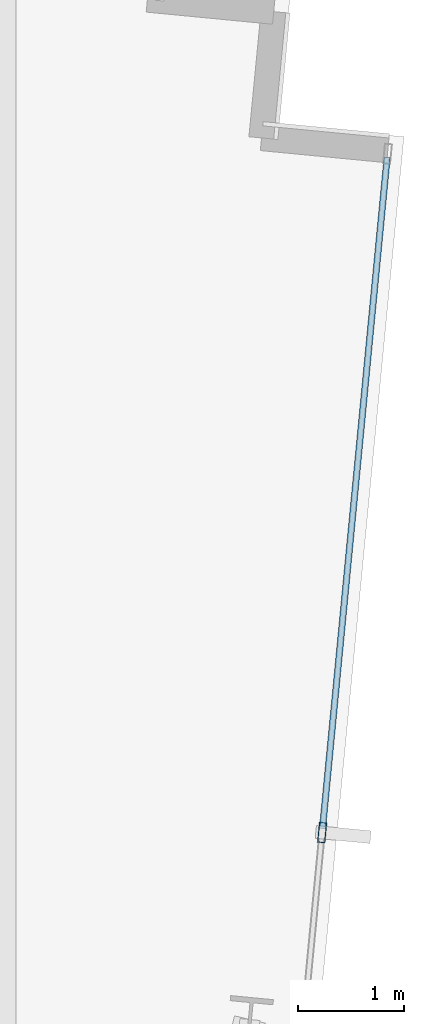
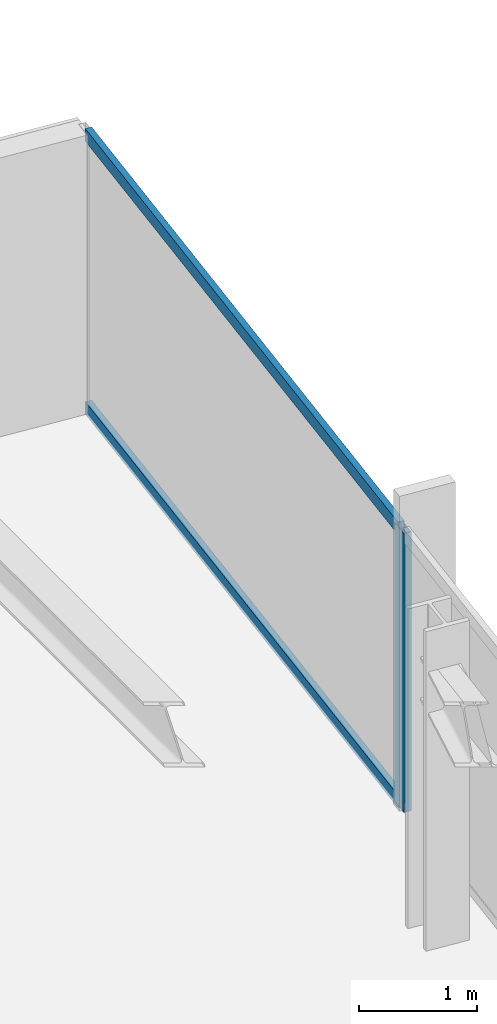
# One storey, part 20 of 37: 3 members, 1 element without a shape of its own.
"""IFC4 building model written with IfcOpenShell, lengths in metres."""

from ifc_helpers import new_model, si_unit, direction, frame, origin, origin_2d, place, context, subcontext, project, spatial, hollow_rectangle, extrude, material, material_profile, profile_set, type_object, element, aggregate, save


model = new_model("IFC4")

# Units and contexts
model_context = context("Model", 3, precision=1e-05, world=origin(), true_north=direction((0.0, 1.0)))
body_context = subcontext(model_context, "Body", "Model", "MODEL_VIEW")
ifc_project = project(units=[si_unit("LENGTHUNIT", "METRE"), si_unit("AREAUNIT", "SQUARE_METRE"), si_unit("VOLUMEUNIT", "CUBIC_METRE"), si_unit("PLANEANGLEUNIT", "RADIAN"), si_unit("MASSUNIT", "GRAM", prefix="KILO")], contexts=[model_context])

# Site, building, storey
site_placement = place(None, origin())
site = spatial("IfcSite", under=ifc_project, at=site_placement, CompositionType="ELEMENT")
building_placement = place(site_placement, origin())
building = spatial("IfcBuilding", under=site, at=building_placement, Name="Yelkora Congress Tower", CompositionType="ELEMENT")
storey_placement = place(building_placement, frame((0.0, 0.0, 188.60009765625)))
storey = spatial("IfcBuildingStorey", under=building, at=storey_placement, Name="L52", CompositionType="ELEMENT", Elevation=188.60009765625)

# Curtain wall, members
ifc_material_1 = material(Name="Anodised aluminium and insulated glass", Category="aluminium")
curtain_wall_type = type_object("IfcCurtainWallType", Name="CW-SYS-B3", PredefinedType="NOTDEFINED", material=ifc_material_1)
curtain_wall_placement = place(storey_placement, origin())
curtain_wall = element("IfcCurtainWall", 1, at=curtain_wall_placement, inside=storey, type_object=curtain_wall_type, Name="L52 Unitised Curtain Wall 15", PredefinedType="NOTDEFINED")
ifc_material_2 = material(Name="Anodised aluminium 6063-T6", Category="aluminium")
ifc_material_profile_1 = material_profile(ifc_material_2, hollow_rectangle(XDim=0.070068359375, YDim=0.18994140625, WallThickness=0.00390625, at=origin_2d()), Name="ALU 70x190x4")
ifc_profile_set_1 = profile_set([ifc_material_profile_1], Name="Anodised aluminium 6063-T6")
member_type_1 = type_object("IfcMemberType", Name="MEM-ML-B3", PredefinedType="MULLION", material=ifc_profile_set_1)
member_1_placement = place(storey_placement, frame((60.646240234375, 36.849853515625, 0.0), z_axis=(0.0, 0.0, 1.0), x_axis=(0.995396565076, -0.095841944023, 0.0)))
member_1 = element("IfcMember", 2, at=member_1_placement, type_object=member_type_1, Name="CW-B3 mullion 2", PredefinedType="MULLION", context=body_context, shape_type="SweptSolid", body=[
    extrude(hollow_rectangle(XDim=0.070068359375, YDim=0.18994140625, WallThickness=0.00390625, at=origin_2d()), origin(), (0.0, 0.0, 1.0), 2.8798828125),
])
ifc_material_profile_2 = material_profile(ifc_material_2, hollow_rectangle(XDim=0.06005859375, YDim=0.1298828125, WallThickness=0.00390625, at=origin_2d()), Name="ALU 60x130x4")
ifc_profile_set_2 = profile_set([ifc_material_profile_2], Name="Anodised aluminium 6063-T6")
member_type_2 = type_object("IfcMemberType", Name="MEM-TR-B3", PredefinedType="USERDEFINED", material=ifc_profile_set_2)
member_2_placement = place(storey_placement, frame((61.260986328125, 43.234375, 0.02978515625), z_axis=(-0.095872844558, -0.995393589329, 0.0), x_axis=(0.995393589329, -0.095872844558, 0.0)))
member_2 = element("IfcMember", 3, at=member_2_placement, type_object=member_type_2, Name="CW-B3 transom 1.1", ObjectType="TRANSOM", PredefinedType="USERDEFINED", context=body_context, shape_type="SweptSolid", body=[
    extrude(hollow_rectangle(XDim=0.06005859375, YDim=0.1298828125, WallThickness=0.00390625, at=origin_2d()), origin(), (0.0, 0.0, 1.0), 6.37890625),
])
member_3_placement = place(storey_placement, frame((61.260986328125, 43.234375, 2.849853515625), z_axis=(-0.095872844558, -0.995393589329, 0.0), x_axis=(0.995393589329, -0.095872844558, 0.0)))
member_3 = element("IfcMember", 4, at=member_3_placement, type_object=member_type_2, Name="CW-B3 transom 1.2", ObjectType="TRANSOM", PredefinedType="USERDEFINED", context=body_context, shape_type="SweptSolid", body=[
    extrude(hollow_rectangle(XDim=0.06005859375, YDim=0.1298828125, WallThickness=0.00390625, at=origin_2d()), origin(), (0.0, 0.0, 1.0), 6.37890625),
])
aggregate(curtain_wall, [member_1, member_2, member_3])

save(model, "model.ifc")
